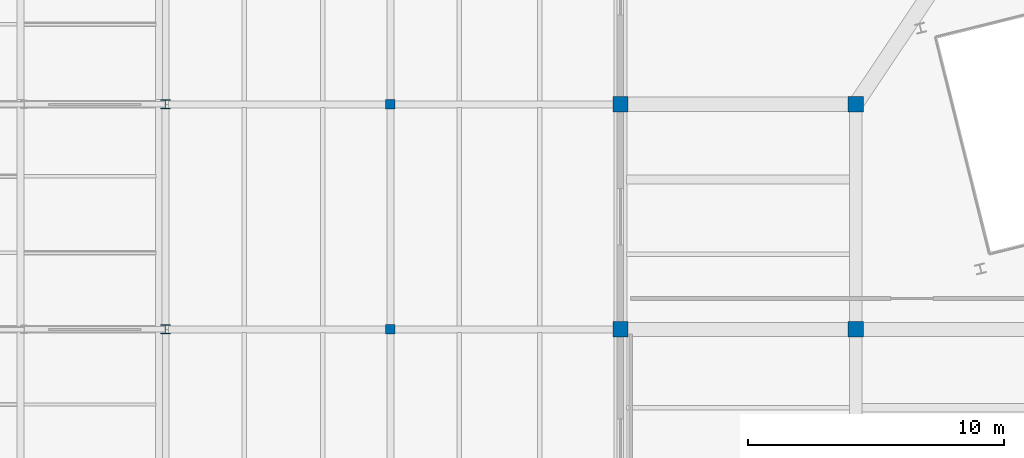
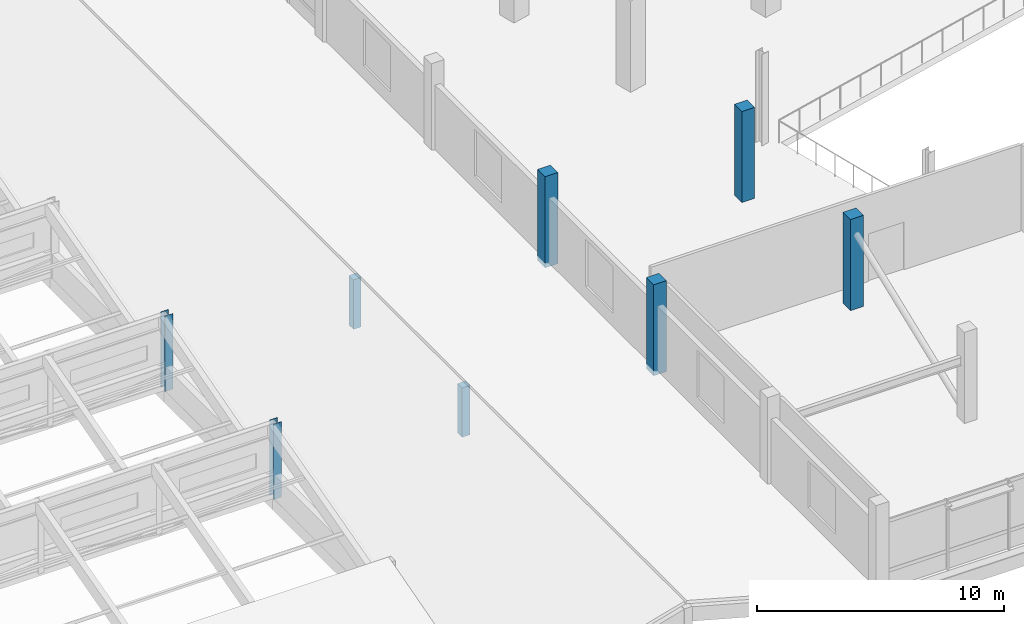
# One storey, part 2 of 77: 8 columns.
"""IFC4 building model written with IfcOpenShell, lengths in metres."""

from ifc_helpers import new_model, si_unit, direction, frame, origin, origin_2d, place, context, subcontext, project, spatial, rectangle, i_section, extrude, material, material_profile, profile_set, type_object, element, save


model = new_model("IFC4")

# Units and contexts
model_context = context("Model", 3, precision=1e-05, world=origin(), true_north=direction((0.0, 1.0)))
body_context = subcontext(model_context, "Body", "Model", "MODEL_VIEW")
ifc_project = project(units=[si_unit("LENGTHUNIT", "METRE"), si_unit("AREAUNIT", "SQUARE_METRE"), si_unit("VOLUMEUNIT", "CUBIC_METRE"), si_unit("PLANEANGLEUNIT", "RADIAN"), si_unit("MASSUNIT", "GRAM", prefix="KILO")], contexts=[model_context])

# Site, building, storey
site_placement = place(None, origin())
site = spatial("IfcSite", under=ifc_project, at=site_placement, CompositionType="ELEMENT")
building_placement = place(site_placement, origin())
building = spatial("IfcBuilding", under=site, at=building_placement, Name="Meriwether Solvik Hall", CompositionType="ELEMENT")
storey_placement = place(building_placement, frame((0.0, 0.0, 9.89990234375)))
storey = spatial("IfcBuildingStorey", under=building, at=storey_placement, Name="L02", CompositionType="ELEMENT", Elevation=9.89990234375)

# Columns
ifc_material_1 = material(Name="Glulam Douglas-Fir L2 GL28c", Category="wood")
ifc_material_profile_1 = material_profile(ifc_material_1, rectangle(XDim=0.364990234375, YDim=0.364990234375, at=origin_2d()), Name="GLC-365X365")
ifc_profile_set_1 = profile_set([ifc_material_profile_1], Name="Glulam Douglas-Fir L2 GL28c")
column_type_1 = type_object("IfcColumnType", Name="COL-GL-365X365", PredefinedType="COLUMN", material=ifc_profile_set_1)
for number, where, z_axis, x_axis, name in (
    (1, (50.39990234375, 23.199951171875, 0.0), (0.0, 0.0, 1.0), (1.0, 0.0, 0.0), "Roof Ridge Post 6/C (L02)"),
    (2, (50.39990234375, 32.0, 0.0), (0.0, 0.0, 1.0), (1.0, 0.0, 0.0), "Roof Ridge Post 6/D (L02)"),
):
    element("IfcColumn", number, at=place(storey_placement, frame(where, z_axis=z_axis, x_axis=x_axis)), inside=storey, type_object=column_type_1, Name=name, PredefinedType="COLUMN", context=body_context, shape_type="SweptSolid", body=[
        extrude(rectangle(XDim=0.364990234375, YDim=0.364990234375, at=origin_2d()), origin(), (0.0, 0.0, 1.0), 2.441162109375),
    ])
ifc_material_2 = material(Name="Concrete C40/50", Category="concrete")
ifc_material_profile_2 = material_profile(ifc_material_2, rectangle(XDim=0.60009765625, YDim=0.60009765625, at=origin_2d()), Name="RCC-600X600")
ifc_profile_set_2 = profile_set([ifc_material_profile_2], Name="Concrete C40/50")
column_type_2 = type_object("IfcColumnType", Name="COL-RC-600", PredefinedType="COLUMN", material=ifc_profile_set_2)
for number, where, z_axis, x_axis, name in (
    (3, (59.39990234375, 23.199951171875, 0.0), (0.0, 0.0, 1.0), (1.0, 0.0, 0.0), "Podium Column 7/C (L02)"),
    (4, (59.39990234375, 32.0, 0.0), (0.0, 0.0, 1.0), (1.0, 0.0, 0.0), "Podium Column 7/D (L02)"),
    (5, (68.60009765625, 23.199951171875, 0.0), (0.0, 0.0, 1.0), (1.0, 0.0, 0.0), "Podium Column 8/C (L02)"),
    (6, (68.60009765625, 32.0, 0.0), (0.0, 0.0, 1.0), (1.0, 0.0, 0.0), "Podium Column 8/D (L02)"),
):
    element("IfcColumn", number, at=place(storey_placement, frame(where, z_axis=z_axis, x_axis=x_axis)), inside=storey, type_object=column_type_2, Name=name, PredefinedType="COLUMN", context=body_context, shape_type="SweptSolid", body=[
        extrude(rectangle(XDim=0.60009765625, YDim=0.60009765625, at=origin_2d()), origin(), (0.0, 0.0, 1.0), 4.5),
    ])
ifc_material_3 = material(Name="Steel A992 Grade 50", Category="steel")
ifc_material_profile_3 = material_profile(ifc_material_3, i_section(OverallWidth=0.368896484375, OverallDepth=0.35595703125, WebThickness=0.01123046875, FlangeThickness=0.01806640625, at=origin_2d()), Name="W14X90")
ifc_profile_set_3 = profile_set([ifc_material_profile_3], Name="Steel A992 Grade 50")
column_type_3 = type_object("IfcColumnType", Name="COL-STL-W14X90", PredefinedType="COLUMN", material=ifc_profile_set_3)
for number, where, z_axis, x_axis, name in (
    (7, (41.60009765625, 23.199951171875, 0.0), (0.0, 0.0, 1.0), (1.0, 0.0, 0.0), "Sanctuary Truss End Post 5/C"),
    (8, (41.60009765625, 32.0, 0.0), (0.0, 0.0, 1.0), (1.0, 0.0, 0.0), "Sanctuary Truss End Post 5/D"),
):
    element("IfcColumn", number, at=place(storey_placement, frame(where, z_axis=z_axis, x_axis=x_axis)), inside=storey, type_object=column_type_3, Name=name, PredefinedType="COLUMN", context=body_context, shape_type="SweptSolid", body=[
        extrude(i_section(OverallWidth=0.368896484375, OverallDepth=0.35595703125, WebThickness=0.01123046875, FlangeThickness=0.01806640625, at=origin_2d()), origin(), (0.0, 0.0, 1.0), 3.72509765625),
    ])

save(model, "model.ifc")
